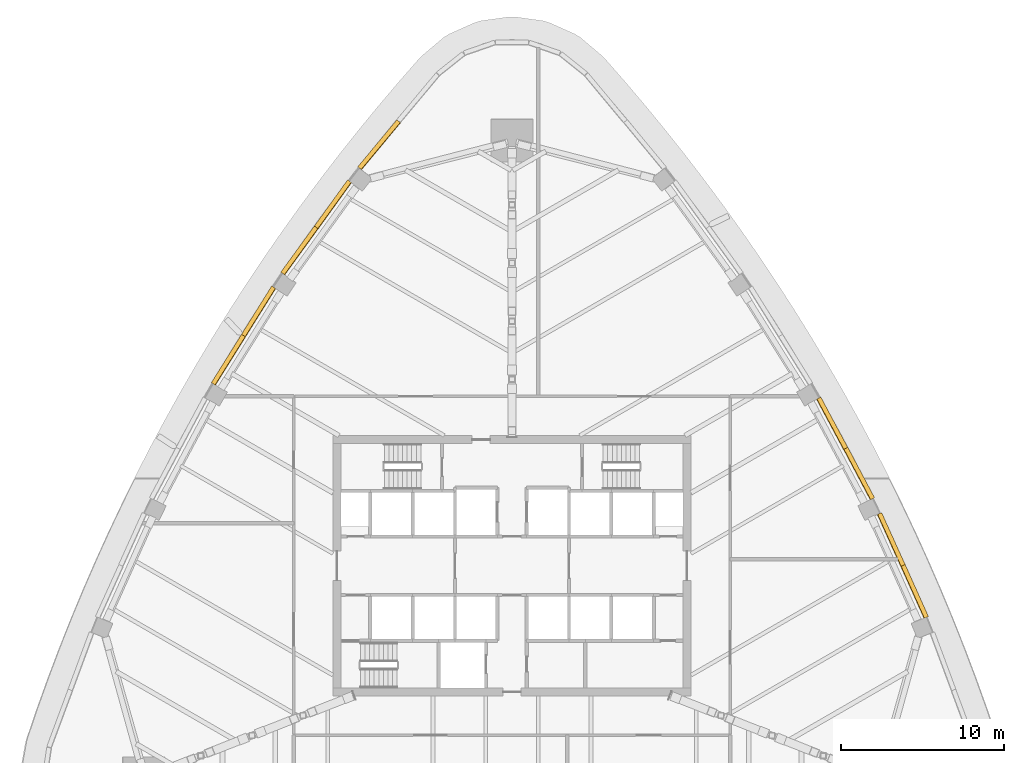
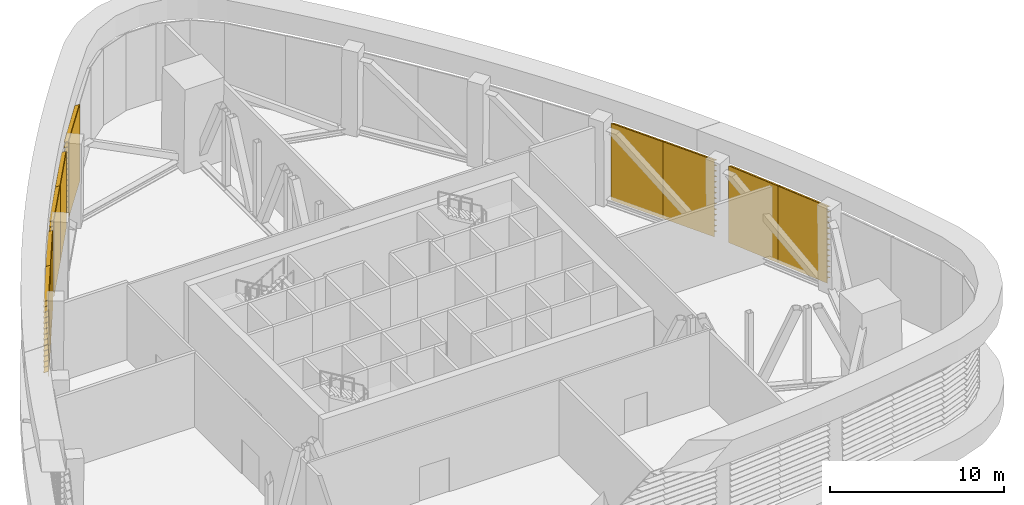
# One storey, part 16 of 18: 9 shading devices.
"""IFC4 building model written with IfcOpenShell, lengths in metres."""

from ifc_helpers import new_model, si_unit, direction, frame, origin, place, context, subcontext, project, spatial, polyline, outline, extrude, material, type_object, element, save


model = new_model("IFC4")

# Units and contexts
model_context = context("Model", 3, precision=1e-05, world=origin(), true_north=direction((0.0, 1.0)))
body_context = subcontext(model_context, "Body", "Model", "MODEL_VIEW")
ifc_project = project(units=[si_unit("LENGTHUNIT", "METRE"), si_unit("AREAUNIT", "SQUARE_METRE"), si_unit("VOLUMEUNIT", "CUBIC_METRE"), si_unit("PLANEANGLEUNIT", "RADIAN"), si_unit("MASSUNIT", "GRAM", prefix="KILO")], contexts=[model_context])

# Site, building, storey
site_placement = place(None, origin())
site = spatial("IfcSite", under=ifc_project, at=site_placement, CompositionType="ELEMENT")
building_placement = place(site_placement, origin())
building = spatial("IfcBuilding", under=site, at=building_placement, Name="Sierra Prisma Convention Tower", CompositionType="ELEMENT")
storey_placement = place(building_placement, frame((0.0, 0.0, 213.800048828125)))
storey = spatial("IfcBuildingStorey", under=building, at=storey_placement, Name="L48", CompositionType="ELEMENT", Elevation=213.800048828125)

# Shading devices
ifc_material = material(Name="Aluminium 6063-T6 bronze anodised", Category="aluminium")
shading_device_type = type_object("IfcShadingDeviceType", Name="Louvre bay bronze", PredefinedType="USERDEFINED", material=ifc_material)
shading_device_1_placement = place(storey_placement, frame((25.302001953125, -3.235107421875, 0.0), z_axis=(0.408444339894, -0.91278322794, 0.0), x_axis=(0.0, 0.0, 1.0)))
element("IfcShadingDevice", 1, at=shading_device_1_placement, inside=storey, type_object=shading_device_type, Name="Louvre L48 NE2.1", ObjectType="LOUVRE", PredefinedType="USERDEFINED", context=body_context, shape_type="SweptSolid", body=[
    extrude(outline(polyline([(0.0, 0.0), (5.39990234375, 0.0), (5.39990234375, -0.029944809209955892), (5.3798828125, -0.029944809209955892), (5.260009765625, -0.2999700931365758), (5.22998046875, -0.2999700931365758), (5.349853515625, -0.029944809209955892), (5.01416015625, -0.029944809209955892), (4.994140625, -0.029944809209955892), (4.874267578125, -0.2999700931365758), (4.84423828125, -0.2999700931365758), (4.96435546875, -0.029944809209955892), (4.62841796875, -0.029944809209955892), (4.608642578125, -0.029944809209955892), (4.488525390625, -0.2999700931365758), (4.45849609375, -0.2999700931365758), (4.57861328125, -0.029944809209955892), (4.242919921875, -0.029944809209955892), (4.222900390625, -0.029944809209955892), (4.102783203125, -0.2999700931365758), (4.07275390625, -0.2999700931365758), (4.19287109375, -0.029944809209955892), (3.857177734375, -0.029944809209955892), (3.837158203125, -0.029944809209955892), (3.717041015625, -0.2999700931365758), (3.68701171875, -0.2999700931365758), (3.80712890625, -0.029944809209955892), (3.471435546875, -0.029944809209955892), (3.451416015625, -0.029944809209955892), (3.331298828125, -0.2999700931365758), (3.30126953125, -0.2999700931365758), (3.42138671875, -0.029944809209955892), (3.085693359375, -0.029944809209955892), (3.065673828125, -0.029944809209955892), (2.945556640625, -0.2999700931365758), (2.915771484375, -0.2999700931365758), (3.03564453125, -0.029944809209955892), (2.699951171875, -0.029944809209955892), (2.679931640625, -0.029944809209955892), (2.56005859375, -0.2999700931365758), (2.530029296875, -0.2999700931365758), (2.64990234375, -0.029944809209955892), (2.314208984375, -0.029944809209955892), (2.294189453125, -0.029944809209955892), (2.17431640625, -0.2999700931365758), (2.144287109375, -0.2999700931365758), (2.26416015625, -0.029944809209955892), (1.928466796875, -0.029944809209955892), (1.908447265625, -0.029944809209955892), (1.78857421875, -0.2999700931365758), (1.758544921875, -0.2999700931365758), (1.87841796875, -0.029944809209955892), (1.542724609375, -0.029944809209955892), (1.522705078125, -0.029944809209955892), (1.40283203125, -0.2999700931365758), (1.372802734375, -0.2999700931365758), (1.492919921875, -0.029944809209955892), (1.156982421875, -0.029944809209955892), (1.13720703125, -0.029944809209955892), (1.01708984375, -0.2999700931365758), (0.987060546875, -0.2999700931365758), (1.107177734375, -0.029944809209955892), (0.771484375, -0.029944809209955892), (0.75146484375, -0.029944809209955892), (0.63134765625, -0.2999700931365758), (0.601318359375, -0.2999700931365758), (0.721435546875, -0.029944809209955892), (0.3857421875, -0.029944809209955892), (0.36572265625, -0.029944809209955892), (0.24560546875, -0.2999700931365758), (0.215576171875, -0.2999700931365758), (0.335693359375, -0.029944809209955892), (0.0, -0.029944809209955892), (0.0, 0.0)])), origin(), (0.0, 0.0, -1.0), 3.4990234375),
])
shading_device_2_placement = place(storey_placement, frame((23.8701171875, -0.04248046875, 0.0), z_axis=(0.412116229929, -0.911131281994, 0.0), x_axis=(0.0, 0.0, 1.0)))
element("IfcShadingDevice", 2, at=shading_device_2_placement, inside=storey, type_object=shading_device_type, Name="Louvre L48 NE2.2", ObjectType="LOUVRE", PredefinedType="USERDEFINED", context=body_context, shape_type="SweptSolid", body=[
    extrude(outline(polyline([(0.0, 0.0), (5.39990234375, 0.0), (5.39990234375, -0.030045076003362634), (5.3798828125, -0.030045076003362634), (5.260009765625, -0.2999689039966364), (5.22998046875, -0.2999689039966364), (5.349853515625, -0.030045076003362634), (5.01416015625, -0.030045076003362634), (4.994140625, -0.030045076003362634), (4.874267578125, -0.2999689039966364), (4.84423828125, -0.2999689039966364), (4.96435546875, -0.030045076003362634), (4.62841796875, -0.030045076003362634), (4.608642578125, -0.030045076003362634), (4.488525390625, -0.2999689039966364), (4.45849609375, -0.2999689039966364), (4.57861328125, -0.030045076003362634), (4.242919921875, -0.030045076003362634), (4.222900390625, -0.030045076003362634), (4.102783203125, -0.2999689039966364), (4.07275390625, -0.2999689039966364), (4.19287109375, -0.030045076003362634), (3.857177734375, -0.030045076003362634), (3.837158203125, -0.030045076003362634), (3.717041015625, -0.2999689039966364), (3.68701171875, -0.2999689039966364), (3.80712890625, -0.030045076003362634), (3.471435546875, -0.030045076003362634), (3.451416015625, -0.030045076003362634), (3.331298828125, -0.2999689039966364), (3.30126953125, -0.2999689039966364), (3.42138671875, -0.030045076003362634), (3.085693359375, -0.030045076003362634), (3.065673828125, -0.030045076003362634), (2.945556640625, -0.2999689039966364), (2.915771484375, -0.2999689039966364), (3.03564453125, -0.030045076003362634), (2.699951171875, -0.030045076003362634), (2.679931640625, -0.030045076003362634), (2.56005859375, -0.2999689039966364), (2.530029296875, -0.2999689039966364), (2.64990234375, -0.030045076003362634), (2.314208984375, -0.030045076003362634), (2.294189453125, -0.030045076003362634), (2.17431640625, -0.2999689039966364), (2.144287109375, -0.2999689039966364), (2.26416015625, -0.030045076003362634), (1.928466796875, -0.030045076003362634), (1.908447265625, -0.030045076003362634), (1.78857421875, -0.2999689039966364), (1.758544921875, -0.2999689039966364), (1.87841796875, -0.030045076003362634), (1.542724609375, -0.030045076003362634), (1.522705078125, -0.030045076003362634), (1.40283203125, -0.2999689039966364), (1.372802734375, -0.2999689039966364), (1.492919921875, -0.030045076003362634), (1.156982421875, -0.030045076003362634), (1.13720703125, -0.030045076003362634), (1.01708984375, -0.2999689039966364), (0.987060546875, -0.2999689039966364), (1.107177734375, -0.030045076003362634), (0.771484375, -0.030045076003362634), (0.75146484375, -0.030045076003362634), (0.63134765625, -0.2999689039966364), (0.601318359375, -0.2999689039966364), (0.721435546875, -0.030045076003362634), (0.3857421875, -0.030045076003362634), (0.36572265625, -0.030045076003362634), (0.24560546875, -0.2999689039966364), (0.215576171875, -0.2999689039966364), (0.335693359375, -0.030045076003362634), (0.0, -0.030045076003362634), (0.0, 0.0)])), origin(), (0.0, 0.0, -1.0), 3.4990234375),
])
shading_device_3_placement = place(storey_placement, frame((21.99853515625, 4.0478515625, 0.0), z_axis=(0.468187041273, -0.883629387461, 0.0), x_axis=(0.0, 0.0, 1.0)))
element("IfcShadingDevice", 3, at=shading_device_3_placement, inside=storey, type_object=shading_device_type, Name="Louvre L48 NE3.1", ObjectType="LOUVRE", PredefinedType="USERDEFINED", context=body_context, shape_type="SweptSolid", body=[
    extrude(outline(polyline([(0.0, 0.0), (5.39990234375, 0.0), (5.39990234375, -0.02981411992146195), (5.3798828125, -0.02981411992146195), (5.260009765625, -0.2998042428764247), (5.22998046875, -0.2998042428764247), (5.349853515625, -0.02981411992146195), (5.01416015625, -0.02981411992146195), (4.994140625, -0.02981411992146195), (4.874267578125, -0.2998042428764247), (4.84423828125, -0.2998042428764247), (4.96435546875, -0.02981411992146195), (4.62841796875, -0.02981411992146195), (4.608642578125, -0.02981411992146195), (4.488525390625, -0.2998042428764247), (4.45849609375, -0.2998042428764247), (4.57861328125, -0.02981411992146195), (4.242919921875, -0.02981411992146195), (4.222900390625, -0.02981411992146195), (4.102783203125, -0.2998042428764247), (4.07275390625, -0.2998042428764247), (4.19287109375, -0.02981411992146195), (3.857177734375, -0.02981411992146195), (3.837158203125, -0.02981411992146195), (3.717041015625, -0.2998042428764247), (3.68701171875, -0.2998042428764247), (3.80712890625, -0.02981411992146195), (3.471435546875, -0.02981411992146195), (3.451416015625, -0.02981411992146195), (3.331298828125, -0.2998042428764247), (3.30126953125, -0.2998042428764247), (3.42138671875, -0.02981411992146195), (3.085693359375, -0.02981411992146195), (3.065673828125, -0.02981411992146195), (2.945556640625, -0.2998042428764247), (2.915771484375, -0.2998042428764247), (3.03564453125, -0.02981411992146195), (2.699951171875, -0.02981411992146195), (2.679931640625, -0.02981411992146195), (2.56005859375, -0.2998042428764247), (2.530029296875, -0.2998042428764247), (2.64990234375, -0.02981411992146195), (2.314208984375, -0.02981411992146195), (2.294189453125, -0.02981411992146195), (2.17431640625, -0.2998042428764247), (2.144287109375, -0.2998042428764247), (2.26416015625, -0.02981411992146195), (1.928466796875, -0.02981411992146195), (1.908447265625, -0.02981411992146195), (1.78857421875, -0.2998042428764247), (1.758544921875, -0.2998042428764247), (1.87841796875, -0.02981411992146195), (1.542724609375, -0.02981411992146195), (1.522705078125, -0.02981411992146195), (1.40283203125, -0.2998042428764247), (1.372802734375, -0.2998042428764247), (1.492919921875, -0.02981411992146195), (1.156982421875, -0.02981411992146195), (1.13720703125, -0.02981411992146195), (1.01708984375, -0.2998042428764247), (0.987060546875, -0.2998042428764247), (1.107177734375, -0.02981411992146195), (0.771484375, -0.02981411992146195), (0.75146484375, -0.02981411992146195), (0.63134765625, -0.2998042428764247), (0.601318359375, -0.2998042428764247), (0.721435546875, -0.02981411992146195), (0.3857421875, -0.02981411992146195), (0.36572265625, -0.02981411992146195), (0.24560546875, -0.2998042428764247), (0.215576171875, -0.2998042428764247), (0.335693359375, -0.02981411992146195), (0.0, -0.02981411992146195), (0.0, 0.0)])), origin(), (0.0, 0.0, -1.0), 3.4990234375),
])
shading_device_4_placement = place(storey_placement, frame((20.35302734375, 7.1357421875, 0.0), z_axis=(0.471925677276, -0.881638335786, 0.0), x_axis=(0.0, 0.0, 1.0)))
element("IfcShadingDevice", 4, at=shading_device_4_placement, inside=storey, type_object=shading_device_type, Name="Louvre L48 NE3.2", ObjectType="LOUVRE", PredefinedType="USERDEFINED", context=body_context, shape_type="SweptSolid", body=[
    extrude(outline(polyline([(0.0, 0.0), (5.39990234375, 0.0), (5.39990234375, -0.029928864635473878), (5.3798828125, -0.029928864635473878), (5.260009765625, -0.2999191888324222), (5.22998046875, -0.2999191888324222), (5.349853515625, -0.029928864635473878), (5.01416015625, -0.029928864635473878), (4.994140625, -0.029928864635473878), (4.874267578125, -0.2999191888324222), (4.84423828125, -0.2999191888324222), (4.96435546875, -0.029928864635473878), (4.62841796875, -0.029928864635473878), (4.608642578125, -0.029928864635473878), (4.488525390625, -0.2999191888324222), (4.45849609375, -0.2999191888324222), (4.57861328125, -0.029928864635473878), (4.242919921875, -0.029928864635473878), (4.222900390625, -0.029928864635473878), (4.102783203125, -0.2999191888324222), (4.07275390625, -0.2999191888324222), (4.19287109375, -0.029928864635473878), (3.857177734375, -0.029928864635473878), (3.837158203125, -0.029928864635473878), (3.717041015625, -0.2999191888324222), (3.68701171875, -0.2999191888324222), (3.80712890625, -0.029928864635473878), (3.471435546875, -0.029928864635473878), (3.451416015625, -0.029928864635473878), (3.331298828125, -0.2999191888324222), (3.30126953125, -0.2999191888324222), (3.42138671875, -0.029928864635473878), (3.085693359375, -0.029928864635473878), (3.065673828125, -0.029928864635473878), (2.945556640625, -0.2999191888324222), (2.915771484375, -0.2999191888324222), (3.03564453125, -0.029928864635473878), (2.699951171875, -0.029928864635473878), (2.679931640625, -0.029928864635473878), (2.56005859375, -0.2999191888324222), (2.530029296875, -0.2999191888324222), (2.64990234375, -0.029928864635473878), (2.314208984375, -0.029928864635473878), (2.294189453125, -0.029928864635473878), (2.17431640625, -0.2999191888324222), (2.144287109375, -0.2999191888324222), (2.26416015625, -0.029928864635473878), (1.928466796875, -0.029928864635473878), (1.908447265625, -0.029928864635473878), (1.78857421875, -0.2999191888324222), (1.758544921875, -0.2999191888324222), (1.87841796875, -0.029928864635473878), (1.542724609375, -0.029928864635473878), (1.522705078125, -0.029928864635473878), (1.40283203125, -0.2999191888324222), (1.372802734375, -0.2999191888324222), (1.492919921875, -0.029928864635473878), (1.156982421875, -0.029928864635473878), (1.13720703125, -0.029928864635473878), (1.01708984375, -0.2999191888324222), (0.987060546875, -0.2999191888324222), (1.107177734375, -0.029928864635473878), (0.771484375, -0.029928864635473878), (0.75146484375, -0.029928864635473878), (0.63134765625, -0.2999191888324222), (0.601318359375, -0.2999191888324222), (0.721435546875, -0.029928864635473878), (0.3857421875, -0.029928864635473878), (0.36572265625, -0.029928864635473878), (0.24560546875, -0.2999191888324222), (0.215576171875, -0.2999191888324222), (0.335693359375, -0.029928864635473878), (0.0, -0.029928864635473878), (0.0, 0.0)])), origin(), (0.0, 0.0, -1.0), 3.4990234375),
])
shading_device_5_placement = place(storey_placement, frame((-6.840087890625, 27.202392578125, 0.0), z_axis=(0.639422620887, 0.76885545579, 0.0), x_axis=(0.0, 0.0, 1.0)))
element("IfcShadingDevice", 5, at=shading_device_5_placement, inside=storey, type_object=shading_device_type, Name="Louvre L48 NW1.2", ObjectType="LOUVRE", PredefinedType="USERDEFINED", context=body_context, shape_type="SweptSolid", body=[
    extrude(outline(polyline([(0.0, 0.0), (5.39990234375, 0.0), (5.39990234375, -0.03016495491946288), (5.3798828125, -0.03016495491946288), (5.260009765625, -0.30008656878386275), (5.22998046875, -0.30008656878386275), (5.349853515625, -0.03016495491946288), (5.01416015625, -0.03016495491946288), (4.994140625, -0.03016495491946288), (4.874267578125, -0.30008656878386275), (4.84423828125, -0.30008656878386275), (4.96435546875, -0.03016495491946288), (4.62841796875, -0.03016495491946288), (4.608642578125, -0.03016495491946288), (4.488525390625, -0.30008656878386275), (4.45849609375, -0.30008656878386275), (4.57861328125, -0.03016495491946288), (4.242919921875, -0.03016495491946288), (4.222900390625, -0.03016495491946288), (4.102783203125, -0.30008656878386275), (4.07275390625, -0.30008656878386275), (4.19287109375, -0.03016495491946288), (3.857177734375, -0.03016495491946288), (3.837158203125, -0.03016495491946288), (3.717041015625, -0.30008656878386275), (3.68701171875, -0.30008656878386275), (3.80712890625, -0.03016495491946288), (3.471435546875, -0.03016495491946288), (3.451416015625, -0.03016495491946288), (3.331298828125, -0.30008656878386275), (3.30126953125, -0.30008656878386275), (3.42138671875, -0.03016495491946288), (3.085693359375, -0.03016495491946288), (3.065673828125, -0.03016495491946288), (2.945556640625, -0.30008656878386275), (2.915771484375, -0.30008656878386275), (3.03564453125, -0.03016495491946288), (2.699951171875, -0.03016495491946288), (2.679931640625, -0.03016495491946288), (2.56005859375, -0.30008656878386275), (2.530029296875, -0.30008656878386275), (2.64990234375, -0.03016495491946288), (2.314208984375, -0.03016495491946288), (2.294189453125, -0.03016495491946288), (2.17431640625, -0.30008656878386275), (2.144287109375, -0.30008656878386275), (2.26416015625, -0.03016495491946288), (1.928466796875, -0.03016495491946288), (1.908447265625, -0.03016495491946288), (1.78857421875, -0.30008656878386275), (1.758544921875, -0.30008656878386275), (1.87841796875, -0.03016495491946288), (1.542724609375, -0.03016495491946288), (1.522705078125, -0.03016495491946288), (1.40283203125, -0.30008656878386275), (1.372802734375, -0.30008656878386275), (1.492919921875, -0.03016495491946288), (1.156982421875, -0.03016495491946288), (1.13720703125, -0.03016495491946288), (1.01708984375, -0.30008656878386275), (0.987060546875, -0.30008656878386275), (1.107177734375, -0.03016495491946288), (0.771484375, -0.03016495491946288), (0.75146484375, -0.03016495491946288), (0.63134765625, -0.30008656878386275), (0.601318359375, -0.30008656878386275), (0.721435546875, -0.03016495491946288), (0.3857421875, -0.03016495491946288), (0.36572265625, -0.03016495491946288), (0.24560546875, -0.30008656878386275), (0.215576171875, -0.30008656878386275), (0.335693359375, -0.03016495491946288), (0.0, -0.03016495491946288), (0.0, 0.0)])), origin(), (0.0, 0.0, -1.0), 3.7490234375),
])
shading_device_6_placement = place(storey_placement, frame((-9.849365234375, 23.52978515625, 0.0), z_axis=(0.584765031041, 0.811202723413, 0.0), x_axis=(0.0, 0.0, 1.0)))
element("IfcShadingDevice", 6, at=shading_device_6_placement, inside=storey, type_object=shading_device_type, Name="Louvre L48 NW2.1", ObjectType="LOUVRE", PredefinedType="USERDEFINED", context=body_context, shape_type="SweptSolid", body=[
    extrude(outline(polyline([(0.0, 0.0), (5.39990234375, 0.0), (5.39990234375, -0.030083826800826982), (5.3798828125, -0.030083826800826982), (5.260009765625, -0.2999033129485308), (5.22998046875, -0.2999033129485308), (5.349853515625, -0.030083826800826982), (5.01416015625, -0.030083826800826982), (4.994140625, -0.030083826800826982), (4.874267578125, -0.2999033129485308), (4.84423828125, -0.2999033129485308), (4.96435546875, -0.030083826800826982), (4.62841796875, -0.030083826800826982), (4.608642578125, -0.030083826800826982), (4.488525390625, -0.2999033129485308), (4.45849609375, -0.2999033129485308), (4.57861328125, -0.030083826800826982), (4.242919921875, -0.030083826800826982), (4.222900390625, -0.030083826800826982), (4.102783203125, -0.2999033129485308), (4.07275390625, -0.2999033129485308), (4.19287109375, -0.030083826800826982), (3.857177734375, -0.030083826800826982), (3.837158203125, -0.030083826800826982), (3.717041015625, -0.2999033129485308), (3.68701171875, -0.2999033129485308), (3.80712890625, -0.030083826800826982), (3.471435546875, -0.030083826800826982), (3.451416015625, -0.030083826800826982), (3.331298828125, -0.2999033129485308), (3.30126953125, -0.2999033129485308), (3.42138671875, -0.030083826800826982), (3.085693359375, -0.030083826800826982), (3.065673828125, -0.030083826800826982), (2.945556640625, -0.2999033129485308), (2.915771484375, -0.2999033129485308), (3.03564453125, -0.030083826800826982), (2.699951171875, -0.030083826800826982), (2.679931640625, -0.030083826800826982), (2.56005859375, -0.2999033129485308), (2.530029296875, -0.2999033129485308), (2.64990234375, -0.030083826800826982), (2.314208984375, -0.030083826800826982), (2.294189453125, -0.030083826800826982), (2.17431640625, -0.2999033129485308), (2.144287109375, -0.2999033129485308), (2.26416015625, -0.030083826800826982), (1.928466796875, -0.030083826800826982), (1.908447265625, -0.030083826800826982), (1.78857421875, -0.2999033129485308), (1.758544921875, -0.2999033129485308), (1.87841796875, -0.030083826800826982), (1.542724609375, -0.030083826800826982), (1.522705078125, -0.030083826800826982), (1.40283203125, -0.2999033129485308), (1.372802734375, -0.2999033129485308), (1.492919921875, -0.030083826800826982), (1.156982421875, -0.030083826800826982), (1.13720703125, -0.030083826800826982), (1.01708984375, -0.2999033129485308), (0.987060546875, -0.2999033129485308), (1.107177734375, -0.030083826800826982), (0.771484375, -0.030083826800826982), (0.75146484375, -0.030083826800826982), (0.63134765625, -0.2999033129485308), (0.601318359375, -0.2999033129485308), (0.721435546875, -0.030083826800826982), (0.3857421875, -0.030083826800826982), (0.36572265625, -0.030083826800826982), (0.24560546875, -0.2999033129485308), (0.215576171875, -0.2999033129485308), (0.335693359375, -0.030083826800826982), (0.0, -0.030083826800826982), (0.0, 0.0)])), origin(), (0.0, 0.0, -1.0), 3.4990234375),
])
shading_device_7_placement = place(storey_placement, frame((-11.8984375, 20.693359375, 0.0), z_axis=(0.587106347659, 0.809509812503, 0.0), x_axis=(0.0, 0.0, 1.0)))
element("IfcShadingDevice", 7, at=shading_device_7_placement, inside=storey, type_object=shading_device_type, Name="Louvre L48 NW2.2", ObjectType="LOUVRE", PredefinedType="USERDEFINED", context=body_context, shape_type="SweptSolid", body=[
    extrude(outline(polyline([(0.0, 0.0), (5.39990234375, 0.0), (5.39990234375, -0.029886017692684792), (5.3798828125, -0.029886017692684792), (5.260009765625, -0.3000459823162564), (5.22998046875, -0.3000459823162564), (5.349853515625, -0.029886017692684792), (5.01416015625, -0.029886017692684792), (4.994140625, -0.029886017692684792), (4.874267578125, -0.3000459823162564), (4.84423828125, -0.3000459823162564), (4.96435546875, -0.029886017692684792), (4.62841796875, -0.029886017692684792), (4.608642578125, -0.029886017692684792), (4.488525390625, -0.3000459823162564), (4.45849609375, -0.3000459823162564), (4.57861328125, -0.029886017692684792), (4.242919921875, -0.029886017692684792), (4.222900390625, -0.029886017692684792), (4.102783203125, -0.3000459823162564), (4.07275390625, -0.3000459823162564), (4.19287109375, -0.029886017692684792), (3.857177734375, -0.029886017692684792), (3.837158203125, -0.029886017692684792), (3.717041015625, -0.3000459823162564), (3.68701171875, -0.3000459823162564), (3.80712890625, -0.029886017692684792), (3.471435546875, -0.029886017692684792), (3.451416015625, -0.029886017692684792), (3.331298828125, -0.3000459823162564), (3.30126953125, -0.3000459823162564), (3.42138671875, -0.029886017692684792), (3.085693359375, -0.029886017692684792), (3.065673828125, -0.029886017692684792), (2.945556640625, -0.3000459823162564), (2.915771484375, -0.3000459823162564), (3.03564453125, -0.029886017692684792), (2.699951171875, -0.029886017692684792), (2.679931640625, -0.029886017692684792), (2.56005859375, -0.3000459823162564), (2.530029296875, -0.3000459823162564), (2.64990234375, -0.029886017692684792), (2.314208984375, -0.029886017692684792), (2.294189453125, -0.029886017692684792), (2.17431640625, -0.3000459823162564), (2.144287109375, -0.3000459823162564), (2.26416015625, -0.029886017692684792), (1.928466796875, -0.029886017692684792), (1.908447265625, -0.029886017692684792), (1.78857421875, -0.3000459823162564), (1.758544921875, -0.3000459823162564), (1.87841796875, -0.029886017692684792), (1.542724609375, -0.029886017692684792), (1.522705078125, -0.029886017692684792), (1.40283203125, -0.3000459823162564), (1.372802734375, -0.3000459823162564), (1.492919921875, -0.029886017692684792), (1.156982421875, -0.029886017692684792), (1.13720703125, -0.029886017692684792), (1.01708984375, -0.3000459823162564), (0.987060546875, -0.3000459823162564), (1.107177734375, -0.029886017692684792), (0.771484375, -0.029886017692684792), (0.75146484375, -0.029886017692684792), (0.63134765625, -0.3000459823162564), (0.601318359375, -0.3000459823162564), (0.721435546875, -0.029886017692684792), (0.3857421875, -0.029886017692684792), (0.36572265625, -0.029886017692684792), (0.24560546875, -0.3000459823162564), (0.215576171875, -0.3000459823162564), (0.335693359375, -0.029886017692684792), (0.0, -0.029886017692684792), (0.0, 0.0)])), origin(), (0.0, 0.0, -1.0), 3.4990234375),
])
shading_device_8_placement = place(storey_placement, frame((-14.504638671875, 17.02734375, 0.0), z_axis=(0.529496297523, 0.848312248473, 0.0), x_axis=(0.0, 0.0, 1.0)))
element("IfcShadingDevice", 8, at=shading_device_8_placement, inside=storey, type_object=shading_device_type, Name="Louvre L48 NW3.1", ObjectType="LOUVRE", PredefinedType="USERDEFINED", context=body_context, shape_type="SweptSolid", body=[
    extrude(outline(polyline([(0.0, 0.0), (5.39990234375, 0.0), (5.39990234375, -0.02994182938969584), (5.3798828125, -0.02994182938969584), (5.260009765625, -0.30003961634457077), (5.22998046875, -0.30003961634457077), (5.349853515625, -0.02994182938969584), (5.01416015625, -0.02994182938969584), (4.994140625, -0.02994182938969584), (4.874267578125, -0.30003961634457077), (4.84423828125, -0.30003961634457077), (4.96435546875, -0.02994182938969584), (4.62841796875, -0.02994182938969584), (4.608642578125, -0.02994182938969584), (4.488525390625, -0.30003961634457077), (4.45849609375, -0.30003961634457077), (4.57861328125, -0.02994182938969584), (4.242919921875, -0.02994182938969584), (4.222900390625, -0.02994182938969584), (4.102783203125, -0.30003961634457077), (4.07275390625, -0.30003961634457077), (4.19287109375, -0.02994182938969584), (3.857177734375, -0.02994182938969584), (3.837158203125, -0.02994182938969584), (3.717041015625, -0.30003961634457077), (3.68701171875, -0.30003961634457077), (3.80712890625, -0.02994182938969584), (3.471435546875, -0.02994182938969584), (3.451416015625, -0.02994182938969584), (3.331298828125, -0.30003961634457077), (3.30126953125, -0.30003961634457077), (3.42138671875, -0.02994182938969584), (3.085693359375, -0.02994182938969584), (3.065673828125, -0.02994182938969584), (2.945556640625, -0.30003961634457077), (2.915771484375, -0.30003961634457077), (3.03564453125, -0.02994182938969584), (2.699951171875, -0.02994182938969584), (2.679931640625, -0.02994182938969584), (2.56005859375, -0.30003961634457077), (2.530029296875, -0.30003961634457077), (2.64990234375, -0.02994182938969584), (2.314208984375, -0.02994182938969584), (2.294189453125, -0.02994182938969584), (2.17431640625, -0.30003961634457077), (2.144287109375, -0.30003961634457077), (2.26416015625, -0.02994182938969584), (1.928466796875, -0.02994182938969584), (1.908447265625, -0.02994182938969584), (1.78857421875, -0.30003961634457077), (1.758544921875, -0.30003961634457077), (1.87841796875, -0.02994182938969584), (1.542724609375, -0.02994182938969584), (1.522705078125, -0.02994182938969584), (1.40283203125, -0.30003961634457077), (1.372802734375, -0.30003961634457077), (1.492919921875, -0.02994182938969584), (1.156982421875, -0.02994182938969584), (1.13720703125, -0.02994182938969584), (1.01708984375, -0.30003961634457077), (0.987060546875, -0.30003961634457077), (1.107177734375, -0.02994182938969584), (0.771484375, -0.02994182938969584), (0.75146484375, -0.02994182938969584), (0.63134765625, -0.30003961634457077), (0.601318359375, -0.30003961634457077), (0.721435546875, -0.02994182938969584), (0.3857421875, -0.02994182938969584), (0.36572265625, -0.02994182938969584), (0.24560546875, -0.30003961634457077), (0.215576171875, -0.30003961634457077), (0.335693359375, -0.02994182938969584), (0.0, -0.02994182938969584), (0.0, 0.0)])), origin(), (0.0, 0.0, -1.0), 3.4990234375),
])
shading_device_9_placement = place(storey_placement, frame((-16.356201171875, 14.058349609375, 0.0), z_axis=(0.529496297523, 0.848312248473, 0.0), x_axis=(0.0, 0.0, 1.0)))
element("IfcShadingDevice", 9, at=shading_device_9_placement, inside=storey, type_object=shading_device_type, Name="Louvre L48 NW3.2", ObjectType="LOUVRE", PredefinedType="USERDEFINED", context=body_context, shape_type="SweptSolid", body=[
    extrude(outline(polyline([(0.0, 0.0), (5.39990234375, 0.0), (5.39990234375, -0.02994182938969584), (5.3798828125, -0.02994182938969584), (5.260009765625, -0.30003961634457077), (5.22998046875, -0.30003961634457077), (5.349853515625, -0.02994182938969584), (5.01416015625, -0.02994182938969584), (4.994140625, -0.02994182938969584), (4.874267578125, -0.30003961634457077), (4.84423828125, -0.30003961634457077), (4.96435546875, -0.02994182938969584), (4.62841796875, -0.02994182938969584), (4.608642578125, -0.02994182938969584), (4.488525390625, -0.30003961634457077), (4.45849609375, -0.30003961634457077), (4.57861328125, -0.02994182938969584), (4.242919921875, -0.02994182938969584), (4.222900390625, -0.02994182938969584), (4.102783203125, -0.30003961634457077), (4.07275390625, -0.30003961634457077), (4.19287109375, -0.02994182938969584), (3.857177734375, -0.02994182938969584), (3.837158203125, -0.02994182938969584), (3.717041015625, -0.30003961634457077), (3.68701171875, -0.30003961634457077), (3.80712890625, -0.02994182938969584), (3.471435546875, -0.02994182938969584), (3.451416015625, -0.02994182938969584), (3.331298828125, -0.30003961634457077), (3.30126953125, -0.30003961634457077), (3.42138671875, -0.02994182938969584), (3.085693359375, -0.02994182938969584), (3.065673828125, -0.02994182938969584), (2.945556640625, -0.30003961634457077), (2.915771484375, -0.30003961634457077), (3.03564453125, -0.02994182938969584), (2.699951171875, -0.02994182938969584), (2.679931640625, -0.02994182938969584), (2.56005859375, -0.30003961634457077), (2.530029296875, -0.30003961634457077), (2.64990234375, -0.02994182938969584), (2.314208984375, -0.02994182938969584), (2.294189453125, -0.02994182938969584), (2.17431640625, -0.30003961634457077), (2.144287109375, -0.30003961634457077), (2.26416015625, -0.02994182938969584), (1.928466796875, -0.02994182938969584), (1.908447265625, -0.02994182938969584), (1.78857421875, -0.30003961634457077), (1.758544921875, -0.30003961634457077), (1.87841796875, -0.02994182938969584), (1.542724609375, -0.02994182938969584), (1.522705078125, -0.02994182938969584), (1.40283203125, -0.30003961634457077), (1.372802734375, -0.30003961634457077), (1.492919921875, -0.02994182938969584), (1.156982421875, -0.02994182938969584), (1.13720703125, -0.02994182938969584), (1.01708984375, -0.30003961634457077), (0.987060546875, -0.30003961634457077), (1.107177734375, -0.02994182938969584), (0.771484375, -0.02994182938969584), (0.75146484375, -0.02994182938969584), (0.63134765625, -0.30003961634457077), (0.601318359375, -0.30003961634457077), (0.721435546875, -0.02994182938969584), (0.3857421875, -0.02994182938969584), (0.36572265625, -0.02994182938969584), (0.24560546875, -0.30003961634457077), (0.215576171875, -0.30003961634457077), (0.335693359375, -0.02994182938969584), (0.0, -0.02994182938969584), (0.0, 0.0)])), origin(), (0.0, 0.0, -1.0), 3.4990234375),
])

save(model, "model.ifc")
